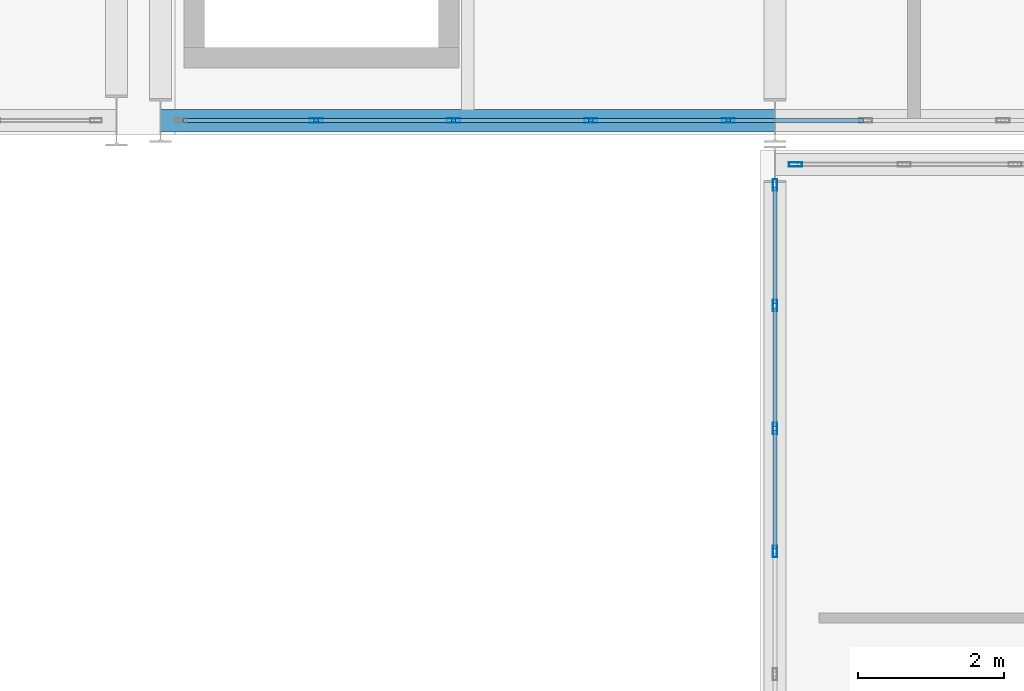
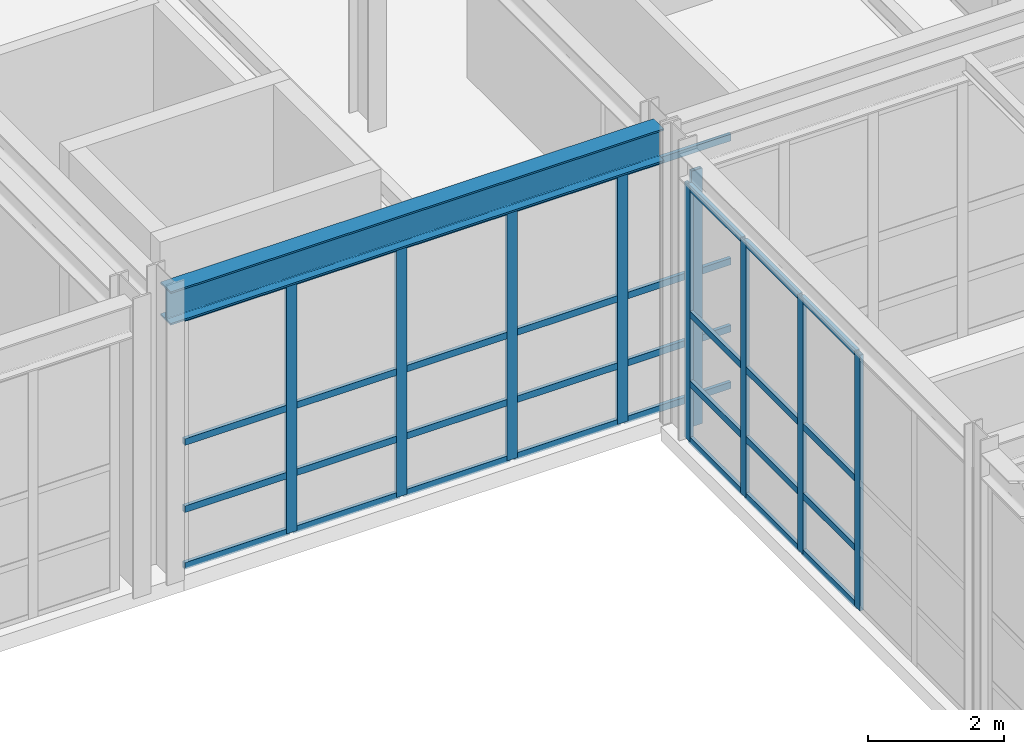
# One storey, part 95 of 210: 41 members, 1 beam, 3 elements without a shape of their own.
"""IFC4 building model written with IfcOpenShell, lengths in metres."""

from ifc_helpers import new_model, si_unit, direction, frame, origin, origin_2d, place, context, subcontext, project, spatial, hollow_rectangle, i_section, extrude, material, material_profile, profile_set, type_object, element, aggregate, save


model = new_model("IFC4")

# Units and contexts
model_context = context("Model", 3, precision=1e-05, world=origin(), true_north=direction((0.0, 1.0)))
body_context = subcontext(model_context, "Body", "Model", "MODEL_VIEW")
ifc_project = project(units=[si_unit("LENGTHUNIT", "METRE"), si_unit("AREAUNIT", "SQUARE_METRE"), si_unit("VOLUMEUNIT", "CUBIC_METRE"), si_unit("PLANEANGLEUNIT", "RADIAN"), si_unit("MASSUNIT", "GRAM", prefix="KILO")], contexts=[model_context])

# Site, building, storey
site_placement = place(None, origin())
site = spatial("IfcSite", under=ifc_project, at=site_placement, CompositionType="ELEMENT")
building_placement = place(site_placement, origin())
building = spatial("IfcBuilding", under=site, at=building_placement, Name="Kaldris Quays Convention Centre", CompositionType="ELEMENT")
storey_placement = place(building_placement, frame((0.0, 0.0, 6.0)))
storey = spatial("IfcBuildingStorey", under=building, at=storey_placement, Name="L01", CompositionType="ELEMENT", Elevation=6.0)

# Curtain wall, members
ifc_material_1 = material(Name="Anodized aluminium AW-6060 and triple glazing", Category="aluminium")
curtain_wall_type_1 = type_object("IfcCurtainWallType", Name="UNITISED CURTAIN WALL CW02", PredefinedType="NOTDEFINED", material=ifc_material_1)
curtain_wall_1_placement = place(storey_placement, origin())
curtain_wall_1 = element("IfcCurtainWall", 1, at=curtain_wall_1_placement, inside=storey, type_object=curtain_wall_type_1, Name="L01 Unitised Curtain Wall CW02 197", PredefinedType="NOTDEFINED")
ifc_material_2 = material(Name="Anodized aluminium AW-6060", Category="aluminium")
ifc_material_profile_1 = material_profile(ifc_material_2, hollow_rectangle(XDim=0.06005859375, YDim=0.159912109375, WallThickness=0.00390625, at=origin_2d()), Name="RHS 160x60x4")
ifc_profile_set_1 = profile_set([ifc_material_profile_1], Name="Anodized aluminium AW-6060")
member_type_1 = type_object("IfcMemberType", Name="CURTAIN MULLION CWM1", PredefinedType="MULLION", material=ifc_profile_set_1)
member_1_placement = place(storey_placement, frame((155.0, 32.110107421875, 0.0), z_axis=(0.0, 0.0, 1.0), x_axis=(-1.0, 0.0, 0.0)))
member_1 = element("IfcMember", 2, at=member_1_placement, type_object=member_type_1, Name="CW02 mullion 3", PredefinedType="MULLION", context=body_context, shape_type="SweptSolid", body=[
    extrude(hollow_rectangle(XDim=0.06005859375, YDim=0.159912109375, WallThickness=0.00390625, at=origin_2d()), origin(), (0.0, 0.0, 1.0), 4.60009765625),
])
member_2_placement = place(storey_placement, frame((155.0, 33.7900390625, 0.0), z_axis=(0.0, 0.0, 1.0), x_axis=(-1.0, 0.0, 0.0)))
member_2 = element("IfcMember", 3, at=member_2_placement, type_object=member_type_1, Name="CW02 mullion 4", PredefinedType="MULLION", context=body_context, shape_type="SweptSolid", body=[
    extrude(hollow_rectangle(XDim=0.06005859375, YDim=0.159912109375, WallThickness=0.00390625, at=origin_2d()), origin(), (0.0, 0.0, 1.0), 4.60009765625),
])
member_3_placement = place(storey_placement, frame((155.0, 35.469970703125, 0.0), z_axis=(0.0, 0.0, 1.0), x_axis=(-1.0, 0.0, 0.0)))
member_3 = element("IfcMember", 4, at=member_3_placement, type_object=member_type_1, Name="CW02 mullion 5", PredefinedType="MULLION", context=body_context, shape_type="SweptSolid", body=[
    extrude(hollow_rectangle(XDim=0.06005859375, YDim=0.159912109375, WallThickness=0.00390625, at=origin_2d()), origin(), (0.0, 0.0, 1.0), 4.60009765625),
])
member_4_placement = place(storey_placement, frame((155.0, 37.1201171875, 0.0), z_axis=(0.0, 0.0, 1.0), x_axis=(-1.0, 0.0, 0.0)))
member_4 = element("IfcMember", 5, at=member_4_placement, type_object=member_type_1, Name="CW02 mullion 6", PredefinedType="MULLION", context=body_context, shape_type="SweptSolid", body=[
    extrude(hollow_rectangle(XDim=0.06005859375, YDim=0.159912109375, WallThickness=0.00390625, at=origin_2d()), origin(), (0.0, 0.0, 1.0), 4.60009765625),
])

curtain_wall_type_2 = type_object("IfcCurtainWallType", Name="UNITISED CURTAIN WALL CW05", PredefinedType="NOTDEFINED", material=ifc_material_1)
curtain_wall_2_placement = place(storey_placement, origin())
curtain_wall_2 = element("IfcCurtainWall", 6, at=curtain_wall_2_placement, inside=storey, type_object=curtain_wall_type_2, Name="L01 Unitised Curtain Wall CW05 141", PredefinedType="NOTDEFINED")
ifc_material_profile_2 = material_profile(ifc_material_2, hollow_rectangle(XDim=0.06005859375, YDim=0.179931640625, WallThickness=0.0048828125, at=origin_2d()), Name="RHS 180x60x5")
ifc_profile_set_2 = profile_set([ifc_material_profile_2], Name="Anodized aluminium AW-6060")
member_type_2 = type_object("IfcMemberType", Name="CURTAIN MULLION CWM2", PredefinedType="MULLION", material=ifc_profile_set_2)
member_5_placement = place(storey_placement, frame((148.727783203125, 38.0, 0.0), z_axis=(0.0, 0.0, 1.0), x_axis=(0.0, 1.0, 0.0)))
member_5 = element("IfcMember", 7, at=member_5_placement, type_object=member_type_2, Name="CW05 mullion 2", PredefinedType="MULLION", context=body_context, shape_type="SweptSolid", body=[
    extrude(hollow_rectangle(XDim=0.06005859375, YDim=0.179931640625, WallThickness=0.0048828125, at=origin_2d()), origin(), (0.0, 0.0, 1.0), 4.51806640625),
])
member_6_placement = place(storey_placement, frame((150.60546875, 38.0, 0.0), z_axis=(0.0, 0.0, 1.0), x_axis=(0.0, 1.0, 0.0)))
member_6 = element("IfcMember", 8, at=member_6_placement, type_object=member_type_2, Name="CW05 mullion 3", PredefinedType="MULLION", context=body_context, shape_type="SweptSolid", body=[
    extrude(hollow_rectangle(XDim=0.06005859375, YDim=0.179931640625, WallThickness=0.0048828125, at=origin_2d()), origin(), (0.0, 0.0, 1.0), 4.51806640625),
])
member_7_placement = place(storey_placement, frame((152.4833984375, 38.0, 0.0), z_axis=(0.0, 0.0, 1.0), x_axis=(0.0, 1.0, 0.0)))
member_7 = element("IfcMember", 9, at=member_7_placement, type_object=member_type_2, Name="CW05 mullion 4", PredefinedType="MULLION", context=body_context, shape_type="SweptSolid", body=[
    extrude(hollow_rectangle(XDim=0.06005859375, YDim=0.179931640625, WallThickness=0.0048828125, at=origin_2d()), origin(), (0.0, 0.0, 1.0), 4.51806640625),
])
member_8_placement = place(storey_placement, frame((154.361083984375, 38.0, 0.0), z_axis=(0.0, 0.0, 1.0), x_axis=(0.0, 1.0, 0.0)))
member_8 = element("IfcMember", 10, at=member_8_placement, type_object=member_type_2, Name="CW05 mullion 5", PredefinedType="MULLION", context=body_context, shape_type="SweptSolid", body=[
    extrude(hollow_rectangle(XDim=0.06005859375, YDim=0.179931640625, WallThickness=0.0048828125, at=origin_2d()), origin(), (0.0, 0.0, 1.0), 4.51806640625),
])

# Curtain wall, member
curtain_wall_3_placement = place(storey_placement, origin())
curtain_wall_3 = element("IfcCurtainWall", 11, at=curtain_wall_3_placement, inside=storey, type_object=curtain_wall_type_1, Name="L01 Unitised Curtain Wall CW02 186", PredefinedType="NOTDEFINED")
member_9_placement = place(storey_placement, frame((155.280029296875, 37.39990234375, 0.0), z_axis=(0.0, 0.0, 1.0), x_axis=(0.0, 1.0, 0.0)))
member_9 = element("IfcMember", 12, at=member_9_placement, type_object=member_type_2, Name="CW02 mullion 1", PredefinedType="MULLION", context=body_context, shape_type="SweptSolid", body=[
    extrude(hollow_rectangle(XDim=0.06005859375, YDim=0.179931640625, WallThickness=0.0048828125, at=origin_2d()), origin(), (0.0, 0.0, 1.0), 4.60009765625),
])
aggregate(curtain_wall_3, [member_9])

# Member
ifc_material_profile_3 = material_profile(ifc_material_2, hollow_rectangle(XDim=0.06005859375, YDim=0.1201171875, WallThickness=0.00390625, at=origin_2d()), Name="RHS 120x60x4")
ifc_profile_set_3 = profile_set([ifc_material_profile_3], Name="Anodized aluminium AW-6060")
member_type_3 = type_object("IfcMemberType", Name="CURTAIN TRANSOM CWT1", PredefinedType="USERDEFINED", material=ifc_profile_set_3)
member_10_placement = place(storey_placement, frame((146.909912109375, 38.0, 0.030029296875), z_axis=(1.0, 0.0, 0.0), x_axis=(0.0, 1.0, 0.0)))
member_10 = element("IfcMember", 13, at=member_10_placement, type_object=member_type_3, Name="CW05 transom 1.1", ObjectType="TRANSOM", PredefinedType="USERDEFINED", context=body_context, shape_type="SweptSolid", body=[
    extrude(hollow_rectangle(XDim=0.06005859375, YDim=0.1201171875, WallThickness=0.00390625, at=origin_2d()), origin(), (0.0, 0.0, 1.0), 1.787841796875),
])

member_11_placement = place(storey_placement, frame((146.909912109375, 38.0, 1.050048828125), z_axis=(1.0, 0.0, 0.0), x_axis=(0.0, 1.0, 0.0)))
member_11 = element("IfcMember", 14, at=member_11_placement, type_object=member_type_3, Name="CW05 transom 1.2", ObjectType="TRANSOM", PredefinedType="USERDEFINED", context=body_context, shape_type="SweptSolid", body=[
    extrude(hollow_rectangle(XDim=0.06005859375, YDim=0.1201171875, WallThickness=0.00390625, at=origin_2d()), origin(), (0.0, 0.0, 1.0), 1.787841796875),
])

member_12_placement = place(storey_placement, frame((146.909912109375, 38.0, 2.259033203125), z_axis=(1.0, 0.0, 0.0), x_axis=(0.0, 1.0, 0.0)))
member_12 = element("IfcMember", 15, at=member_12_placement, type_object=member_type_3, Name="CW05 transom 1.3", ObjectType="TRANSOM", PredefinedType="USERDEFINED", context=body_context, shape_type="SweptSolid", body=[
    extrude(hollow_rectangle(XDim=0.06005859375, YDim=0.1201171875, WallThickness=0.00390625, at=origin_2d()), origin(), (0.0, 0.0, 1.0), 1.787841796875),
])

member_13_placement = place(storey_placement, frame((146.909912109375, 38.0, 4.488037109375), z_axis=(1.0, 0.0, 0.0), x_axis=(0.0, 1.0, 0.0)))
member_13 = element("IfcMember", 16, at=member_13_placement, type_object=member_type_3, Name="CW05 transom 1.4", ObjectType="TRANSOM", PredefinedType="USERDEFINED", context=body_context, shape_type="SweptSolid", body=[
    extrude(hollow_rectangle(XDim=0.06005859375, YDim=0.1201171875, WallThickness=0.00390625, at=origin_2d()), origin(), (0.0, 0.0, 1.0), 1.787841796875),
])

member_14_placement = place(storey_placement, frame((148.7578125, 38.0, 0.030029296875), z_axis=(1.0, 0.0, 0.0), x_axis=(0.0, 1.0, 0.0)))
member_14 = element("IfcMember", 17, at=member_14_placement, type_object=member_type_3, Name="CW05 transom 2.1", ObjectType="TRANSOM", PredefinedType="USERDEFINED", context=body_context, shape_type="SweptSolid", body=[
    extrude(hollow_rectangle(XDim=0.06005859375, YDim=0.1201171875, WallThickness=0.00390625, at=origin_2d()), origin(), (0.0, 0.0, 1.0), 1.817626953125),
])

member_15_placement = place(storey_placement, frame((148.7578125, 38.0, 1.050048828125), z_axis=(1.0, 0.0, 0.0), x_axis=(0.0, 1.0, 0.0)))
member_15 = element("IfcMember", 18, at=member_15_placement, type_object=member_type_3, Name="CW05 transom 2.2", ObjectType="TRANSOM", PredefinedType="USERDEFINED", context=body_context, shape_type="SweptSolid", body=[
    extrude(hollow_rectangle(XDim=0.06005859375, YDim=0.1201171875, WallThickness=0.00390625, at=origin_2d()), origin(), (0.0, 0.0, 1.0), 1.817626953125),
])

member_16_placement = place(storey_placement, frame((148.7578125, 38.0, 2.259033203125), z_axis=(1.0, 0.0, 0.0), x_axis=(0.0, 1.0, 0.0)))
member_16 = element("IfcMember", 19, at=member_16_placement, type_object=member_type_3, Name="CW05 transom 2.3", ObjectType="TRANSOM", PredefinedType="USERDEFINED", context=body_context, shape_type="SweptSolid", body=[
    extrude(hollow_rectangle(XDim=0.06005859375, YDim=0.1201171875, WallThickness=0.00390625, at=origin_2d()), origin(), (0.0, 0.0, 1.0), 1.817626953125),
])

member_17_placement = place(storey_placement, frame((148.7578125, 38.0, 4.488037109375), z_axis=(1.0, 0.0, 0.0), x_axis=(0.0, 1.0, 0.0)))
member_17 = element("IfcMember", 20, at=member_17_placement, type_object=member_type_3, Name="CW05 transom 2.4", ObjectType="TRANSOM", PredefinedType="USERDEFINED", context=body_context, shape_type="SweptSolid", body=[
    extrude(hollow_rectangle(XDim=0.06005859375, YDim=0.1201171875, WallThickness=0.00390625, at=origin_2d()), origin(), (0.0, 0.0, 1.0), 1.817626953125),
])

member_18_placement = place(storey_placement, frame((150.635498046875, 38.0, 0.030029296875), z_axis=(1.0, 0.0, 0.0), x_axis=(0.0, 1.0, 0.0)))
member_18 = element("IfcMember", 21, at=member_18_placement, type_object=member_type_3, Name="CW05 transom 3.1", ObjectType="TRANSOM", PredefinedType="USERDEFINED", context=body_context, shape_type="SweptSolid", body=[
    extrude(hollow_rectangle(XDim=0.06005859375, YDim=0.1201171875, WallThickness=0.00390625, at=origin_2d()), origin(), (0.0, 0.0, 1.0), 1.81787109375),
])

member_19_placement = place(storey_placement, frame((150.635498046875, 38.0, 1.050048828125), z_axis=(1.0, 0.0, 0.0), x_axis=(0.0, 1.0, 0.0)))
member_19 = element("IfcMember", 22, at=member_19_placement, type_object=member_type_3, Name="CW05 transom 3.2", ObjectType="TRANSOM", PredefinedType="USERDEFINED", context=body_context, shape_type="SweptSolid", body=[
    extrude(hollow_rectangle(XDim=0.06005859375, YDim=0.1201171875, WallThickness=0.00390625, at=origin_2d()), origin(), (0.0, 0.0, 1.0), 1.81787109375),
])

member_20_placement = place(storey_placement, frame((150.635498046875, 38.0, 2.259033203125), z_axis=(1.0, 0.0, 0.0), x_axis=(0.0, 1.0, 0.0)))
member_20 = element("IfcMember", 23, at=member_20_placement, type_object=member_type_3, Name="CW05 transom 3.3", ObjectType="TRANSOM", PredefinedType="USERDEFINED", context=body_context, shape_type="SweptSolid", body=[
    extrude(hollow_rectangle(XDim=0.06005859375, YDim=0.1201171875, WallThickness=0.00390625, at=origin_2d()), origin(), (0.0, 0.0, 1.0), 1.81787109375),
])

member_21_placement = place(storey_placement, frame((150.635498046875, 38.0, 4.488037109375), z_axis=(1.0, 0.0, 0.0), x_axis=(0.0, 1.0, 0.0)))
member_21 = element("IfcMember", 24, at=member_21_placement, type_object=member_type_3, Name="CW05 transom 3.4", ObjectType="TRANSOM", PredefinedType="USERDEFINED", context=body_context, shape_type="SweptSolid", body=[
    extrude(hollow_rectangle(XDim=0.06005859375, YDim=0.1201171875, WallThickness=0.00390625, at=origin_2d()), origin(), (0.0, 0.0, 1.0), 1.81787109375),
])

member_22_placement = place(storey_placement, frame((152.513427734375, 38.0, 0.030029296875), z_axis=(1.0, 0.0, 0.0), x_axis=(0.0, 1.0, 0.0)))
member_22 = element("IfcMember", 25, at=member_22_placement, type_object=member_type_3, Name="CW05 transom 4.1", ObjectType="TRANSOM", PredefinedType="USERDEFINED", context=body_context, shape_type="SweptSolid", body=[
    extrude(hollow_rectangle(XDim=0.06005859375, YDim=0.1201171875, WallThickness=0.00390625, at=origin_2d()), origin(), (0.0, 0.0, 1.0), 1.817626953125),
])

member_23_placement = place(storey_placement, frame((152.513427734375, 38.0, 1.050048828125), z_axis=(1.0, 0.0, 0.0), x_axis=(0.0, 1.0, 0.0)))
member_23 = element("IfcMember", 26, at=member_23_placement, type_object=member_type_3, Name="CW05 transom 4.2", ObjectType="TRANSOM", PredefinedType="USERDEFINED", context=body_context, shape_type="SweptSolid", body=[
    extrude(hollow_rectangle(XDim=0.06005859375, YDim=0.1201171875, WallThickness=0.00390625, at=origin_2d()), origin(), (0.0, 0.0, 1.0), 1.817626953125),
])

member_24_placement = place(storey_placement, frame((152.513427734375, 38.0, 2.259033203125), z_axis=(1.0, 0.0, 0.0), x_axis=(0.0, 1.0, 0.0)))
member_24 = element("IfcMember", 27, at=member_24_placement, type_object=member_type_3, Name="CW05 transom 4.3", ObjectType="TRANSOM", PredefinedType="USERDEFINED", context=body_context, shape_type="SweptSolid", body=[
    extrude(hollow_rectangle(XDim=0.06005859375, YDim=0.1201171875, WallThickness=0.00390625, at=origin_2d()), origin(), (0.0, 0.0, 1.0), 1.817626953125),
])

member_25_placement = place(storey_placement, frame((152.513427734375, 38.0, 4.488037109375), z_axis=(1.0, 0.0, 0.0), x_axis=(0.0, 1.0, 0.0)))
member_25 = element("IfcMember", 28, at=member_25_placement, type_object=member_type_3, Name="CW05 transom 4.4", ObjectType="TRANSOM", PredefinedType="USERDEFINED", context=body_context, shape_type="SweptSolid", body=[
    extrude(hollow_rectangle(XDim=0.06005859375, YDim=0.1201171875, WallThickness=0.00390625, at=origin_2d()), origin(), (0.0, 0.0, 1.0), 1.817626953125),
])

member_26_placement = place(storey_placement, frame((154.39111328125, 38.0, 0.030029296875), z_axis=(1.0, 0.0, 0.0), x_axis=(0.0, 1.0, 0.0)))
member_26 = element("IfcMember", 29, at=member_26_placement, type_object=member_type_3, Name="CW05 transom 5.1", ObjectType="TRANSOM", PredefinedType="USERDEFINED", context=body_context, shape_type="SweptSolid", body=[
    extrude(hollow_rectangle(XDim=0.06005859375, YDim=0.1201171875, WallThickness=0.00390625, at=origin_2d()), origin(), (0.0, 0.0, 1.0), 1.81787109375),
])

member_27_placement = place(storey_placement, frame((154.39111328125, 38.0, 1.050048828125), z_axis=(1.0, 0.0, 0.0), x_axis=(0.0, 1.0, 0.0)))
member_27 = element("IfcMember", 30, at=member_27_placement, type_object=member_type_3, Name="CW05 transom 5.2", ObjectType="TRANSOM", PredefinedType="USERDEFINED", context=body_context, shape_type="SweptSolid", body=[
    extrude(hollow_rectangle(XDim=0.06005859375, YDim=0.1201171875, WallThickness=0.00390625, at=origin_2d()), origin(), (0.0, 0.0, 1.0), 1.81787109375),
])

member_28_placement = place(storey_placement, frame((154.39111328125, 38.0, 2.259033203125), z_axis=(1.0, 0.0, 0.0), x_axis=(0.0, 1.0, 0.0)))
member_28 = element("IfcMember", 31, at=member_28_placement, type_object=member_type_3, Name="CW05 transom 5.3", ObjectType="TRANSOM", PredefinedType="USERDEFINED", context=body_context, shape_type="SweptSolid", body=[
    extrude(hollow_rectangle(XDim=0.06005859375, YDim=0.1201171875, WallThickness=0.00390625, at=origin_2d()), origin(), (0.0, 0.0, 1.0), 1.81787109375),
])

member_29_placement = place(storey_placement, frame((154.39111328125, 38.0, 4.488037109375), z_axis=(1.0, 0.0, 0.0), x_axis=(0.0, 1.0, 0.0)))
member_29 = element("IfcMember", 32, at=member_29_placement, type_object=member_type_3, Name="CW05 transom 5.4", ObjectType="TRANSOM", PredefinedType="USERDEFINED", context=body_context, shape_type="SweptSolid", body=[
    extrude(hollow_rectangle(XDim=0.06005859375, YDim=0.1201171875, WallThickness=0.00390625, at=origin_2d()), origin(), (0.0, 0.0, 1.0), 1.81787109375),
])

aggregate(curtain_wall_2, [member_5, member_6, member_7, member_8, member_10, member_11, member_12, member_13, member_14, member_15, member_16, member_17, member_18, member_19, member_20, member_21, member_22, member_23, member_24, member_25, member_26, member_27, member_28, member_29])

member_30_placement = place(storey_placement, frame((155.0, 32.139892578125, 0.030029296875), z_axis=(0.0, 1.0, 0.0), x_axis=(-1.0, 0.0, 0.0)))
member_30 = element("IfcMember", 33, at=member_30_placement, type_object=member_type_3, Name="CW02 transom 3.1", ObjectType="TRANSOM", PredefinedType="USERDEFINED", context=body_context, shape_type="SweptSolid", body=[
    extrude(hollow_rectangle(XDim=0.06005859375, YDim=0.1201171875, WallThickness=0.00390625, at=origin_2d()), origin(), (0.0, 0.0, 1.0), 1.6201171875),
])

member_31_placement = place(storey_placement, frame((155.0, 32.139892578125, 1.050048828125), z_axis=(0.0, 1.0, 0.0), x_axis=(-1.0, 0.0, 0.0)))
member_31 = element("IfcMember", 34, at=member_31_placement, type_object=member_type_3, Name="CW02 transom 3.2", ObjectType="TRANSOM", PredefinedType="USERDEFINED", context=body_context, shape_type="SweptSolid", body=[
    extrude(hollow_rectangle(XDim=0.06005859375, YDim=0.1201171875, WallThickness=0.00390625, at=origin_2d()), origin(), (0.0, 0.0, 1.0), 1.6201171875),
])

member_32_placement = place(storey_placement, frame((155.0, 32.139892578125, 2.300048828125), z_axis=(0.0, 1.0, 0.0), x_axis=(-1.0, 0.0, 0.0)))
member_32 = element("IfcMember", 35, at=member_32_placement, type_object=member_type_3, Name="CW02 transom 3.3", ObjectType="TRANSOM", PredefinedType="USERDEFINED", context=body_context, shape_type="SweptSolid", body=[
    extrude(hollow_rectangle(XDim=0.06005859375, YDim=0.1201171875, WallThickness=0.00390625, at=origin_2d()), origin(), (0.0, 0.0, 1.0), 1.6201171875),
])

member_33_placement = place(storey_placement, frame((155.0, 32.139892578125, 4.570068359375), z_axis=(0.0, 1.0, 0.0), x_axis=(-1.0, 0.0, 0.0)))
member_33 = element("IfcMember", 36, at=member_33_placement, type_object=member_type_3, Name="CW02 transom 3.4", ObjectType="TRANSOM", PredefinedType="USERDEFINED", context=body_context, shape_type="SweptSolid", body=[
    extrude(hollow_rectangle(XDim=0.06005859375, YDim=0.1201171875, WallThickness=0.00390625, at=origin_2d()), origin(), (0.0, 0.0, 1.0), 1.6201171875),
])

member_34_placement = place(storey_placement, frame((155.0, 33.820068359375, 0.030029296875), z_axis=(0.0, 1.0, 0.0), x_axis=(-1.0, 0.0, 0.0)))
member_34 = element("IfcMember", 37, at=member_34_placement, type_object=member_type_3, Name="CW02 transom 4.1", ObjectType="TRANSOM", PredefinedType="USERDEFINED", context=body_context, shape_type="SweptSolid", body=[
    extrude(hollow_rectangle(XDim=0.06005859375, YDim=0.1201171875, WallThickness=0.00390625, at=origin_2d()), origin(), (0.0, 0.0, 1.0), 1.619873046875),
])

member_35_placement = place(storey_placement, frame((155.0, 33.820068359375, 1.050048828125), z_axis=(0.0, 1.0, 0.0), x_axis=(-1.0, 0.0, 0.0)))
member_35 = element("IfcMember", 38, at=member_35_placement, type_object=member_type_3, Name="CW02 transom 4.2", ObjectType="TRANSOM", PredefinedType="USERDEFINED", context=body_context, shape_type="SweptSolid", body=[
    extrude(hollow_rectangle(XDim=0.06005859375, YDim=0.1201171875, WallThickness=0.00390625, at=origin_2d()), origin(), (0.0, 0.0, 1.0), 1.619873046875),
])

member_36_placement = place(storey_placement, frame((155.0, 33.820068359375, 2.300048828125), z_axis=(0.0, 1.0, 0.0), x_axis=(-1.0, 0.0, 0.0)))
member_36 = element("IfcMember", 39, at=member_36_placement, type_object=member_type_3, Name="CW02 transom 4.3", ObjectType="TRANSOM", PredefinedType="USERDEFINED", context=body_context, shape_type="SweptSolid", body=[
    extrude(hollow_rectangle(XDim=0.06005859375, YDim=0.1201171875, WallThickness=0.00390625, at=origin_2d()), origin(), (0.0, 0.0, 1.0), 1.619873046875),
])

member_37_placement = place(storey_placement, frame((155.0, 33.820068359375, 4.570068359375), z_axis=(0.0, 1.0, 0.0), x_axis=(-1.0, 0.0, 0.0)))
member_37 = element("IfcMember", 40, at=member_37_placement, type_object=member_type_3, Name="CW02 transom 4.4", ObjectType="TRANSOM", PredefinedType="USERDEFINED", context=body_context, shape_type="SweptSolid", body=[
    extrude(hollow_rectangle(XDim=0.06005859375, YDim=0.1201171875, WallThickness=0.00390625, at=origin_2d()), origin(), (0.0, 0.0, 1.0), 1.619873046875),
])

member_38_placement = place(storey_placement, frame((155.0, 35.5, 0.030029296875), z_axis=(0.0, 1.0, 0.0), x_axis=(-1.0, 0.0, 0.0)))
member_38 = element("IfcMember", 41, at=member_38_placement, type_object=member_type_3, Name="CW02 transom 5.1", ObjectType="TRANSOM", PredefinedType="USERDEFINED", context=body_context, shape_type="SweptSolid", body=[
    extrude(hollow_rectangle(XDim=0.06005859375, YDim=0.1201171875, WallThickness=0.00390625, at=origin_2d()), origin(), (0.0, 0.0, 1.0), 1.590087890625),
])

member_39_placement = place(storey_placement, frame((155.0, 35.5, 1.050048828125), z_axis=(0.0, 1.0, 0.0), x_axis=(-1.0, 0.0, 0.0)))
member_39 = element("IfcMember", 42, at=member_39_placement, type_object=member_type_3, Name="CW02 transom 5.2", ObjectType="TRANSOM", PredefinedType="USERDEFINED", context=body_context, shape_type="SweptSolid", body=[
    extrude(hollow_rectangle(XDim=0.06005859375, YDim=0.1201171875, WallThickness=0.00390625, at=origin_2d()), origin(), (0.0, 0.0, 1.0), 1.590087890625),
])

member_40_placement = place(storey_placement, frame((155.0, 35.5, 2.300048828125), z_axis=(0.0, 1.0, 0.0), x_axis=(-1.0, 0.0, 0.0)))
member_40 = element("IfcMember", 43, at=member_40_placement, type_object=member_type_3, Name="CW02 transom 5.3", ObjectType="TRANSOM", PredefinedType="USERDEFINED", context=body_context, shape_type="SweptSolid", body=[
    extrude(hollow_rectangle(XDim=0.06005859375, YDim=0.1201171875, WallThickness=0.00390625, at=origin_2d()), origin(), (0.0, 0.0, 1.0), 1.590087890625),
])

member_41_placement = place(storey_placement, frame((155.0, 35.5, 4.570068359375), z_axis=(0.0, 1.0, 0.0), x_axis=(-1.0, 0.0, 0.0)))
member_41 = element("IfcMember", 44, at=member_41_placement, type_object=member_type_3, Name="CW02 transom 5.4", ObjectType="TRANSOM", PredefinedType="USERDEFINED", context=body_context, shape_type="SweptSolid", body=[
    extrude(hollow_rectangle(XDim=0.06005859375, YDim=0.1201171875, WallThickness=0.00390625, at=origin_2d()), origin(), (0.0, 0.0, 1.0), 1.590087890625),
])

aggregate(curtain_wall_1, [member_1, member_2, member_3, member_4, member_30, member_31, member_32, member_33, member_34, member_35, member_36, member_37, member_38, member_39, member_40, member_41])

# Beam
ifc_material_3 = material(Name="Steel S355J2", Category="steel")
ifc_material_profile_4 = material_profile(ifc_material_3, i_section(OverallWidth=0.300048828125, OverallDepth=0.60009765625, WebThickness=0.015380859375, FlangeThickness=0.030029296875, FilletRadius=0.027099609375, at=origin_2d()), Name="HEB 600")
ifc_profile_set_4 = profile_set([ifc_material_profile_4], Name="Steel S355J2")
beam_type = type_object("IfcBeamType", Name="STRUCTURAL BEAM BM05", PredefinedType="BEAM", material=ifc_profile_set_4)
beam_placement = place(storey_placement, frame((146.601806640625, 38.0, 4.843017578125), z_axis=(1.0, 0.0, 0.0), x_axis=(0.0, 1.0, 0.0)))
element("IfcBeam", 45, at=beam_placement, inside=storey, type_object=beam_type, Name="L01 Girder BM05 8", PredefinedType="BEAM", context=body_context, shape_type="SweptSolid", body=[
    extrude(i_section(OverallWidth=0.300048828125, OverallDepth=0.60009765625, WebThickness=0.015380859375, FlangeThickness=0.030029296875, FilletRadius=0.027099609375, at=origin_2d()), origin(), (0.0, 0.0, 1.0), 8.396484375),
])

save(model, "model.ifc")
